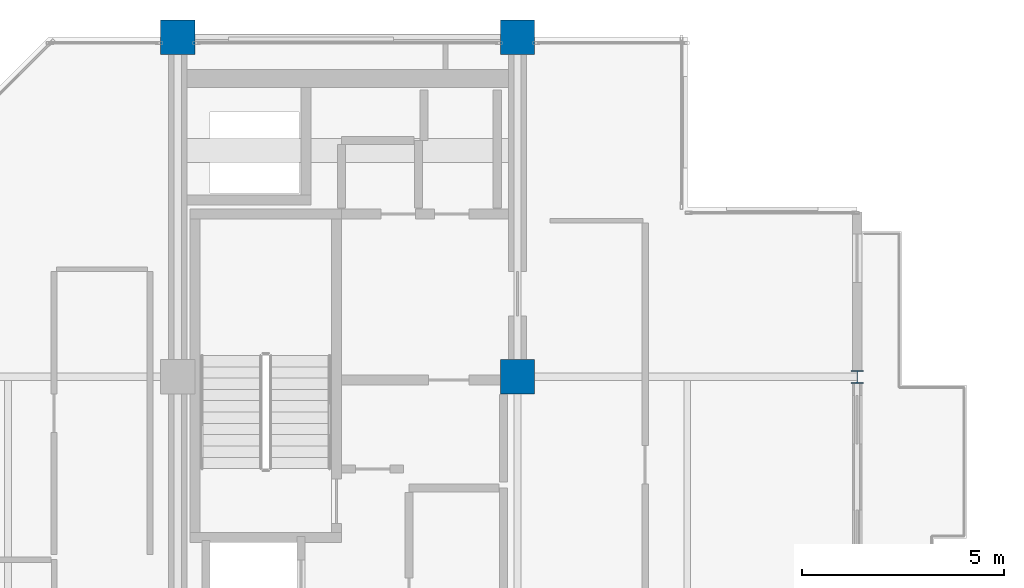
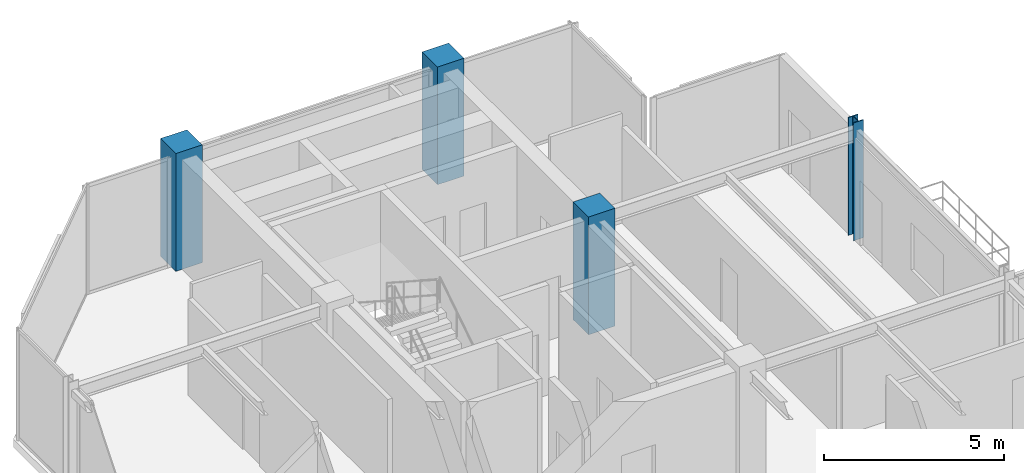
# One storey, part 2 of 24: 4 columns.
"""IFC4 building model written with IfcOpenShell, lengths in metres."""

from ifc_helpers import new_model, si_unit, direction, frame, origin, origin_2d, place, context, subcontext, project, spatial, rectangle, i_section, extrude, material, material_profile, profile_set, type_object, element, save


model = new_model("IFC4")

# Units and contexts
model_context = context("Model", 3, precision=1e-05, world=origin(), true_north=direction((0.0, 1.0)))
body_context = subcontext(model_context, "Body", "Model", "MODEL_VIEW")
ifc_project = project(units=[si_unit("LENGTHUNIT", "METRE"), si_unit("AREAUNIT", "SQUARE_METRE"), si_unit("VOLUMEUNIT", "CUBIC_METRE"), si_unit("PLANEANGLEUNIT", "RADIAN"), si_unit("MASSUNIT", "GRAM", prefix="KILO")], contexts=[model_context])

# Site, building, storey
site_placement = place(None, origin())
site = spatial("IfcSite", under=ifc_project, at=site_placement, CompositionType="ELEMENT")
building_placement = place(site_placement, origin())
building = spatial("IfcBuilding", under=site, at=building_placement, Name="Nerrivon Quay Data Exchange", CompositionType="ELEMENT")
storey_placement = place(building_placement, frame((0.0, 0.0, 310.199951171875)))
storey = spatial("IfcBuildingStorey", under=building, at=storey_placement, Name="L74", CompositionType="ELEMENT", Elevation=310.199951171875)

# Columns
ifc_material_1 = material(Name="Concrete N50 (50 MPa)", Category="concrete")
ifc_material_profile_1 = material_profile(ifc_material_1, rectangle(XDim=0.85009765625, YDim=0.85009765625, at=origin_2d()), Name="RC-COL-850x850")
ifc_profile_set_1 = profile_set([ifc_material_profile_1], Name="Concrete N50 (50 MPa)")
column_type_1 = type_object("IfcColumnType", Name="COL-C5-850", PredefinedType="COLUMN", material=ifc_profile_set_1)
for number, where, z_axis, x_axis, name in (
    (1, (8.39990234375, 42.0, 0.0), (0.0, 0.0, 1.0), (1.0, 0.0, 0.0), "L74 Column (8.4,42.0)"),
    (2, (16.800048828125, 33.60009765625, 0.0), (0.0, 0.0, 1.0), (1.0, 0.0, 0.0), "L74 Column (16.8,33.6)"),
    (3, (16.800048828125, 42.0, 0.0), (0.0, 0.0, 1.0), (1.0, 0.0, 0.0), "L74 Column (16.8,42.0)"),
):
    element("IfcColumn", number, at=place(storey_placement, frame(where, z_axis=z_axis, x_axis=x_axis)), inside=storey, type_object=column_type_1, Name=name, PredefinedType="COLUMN", context=body_context, shape_type="SweptSolid", body=[
        extrude(rectangle(XDim=0.85009765625, YDim=0.85009765625, at=origin_2d()), origin(), (0.0, 0.0, 1.0), 4.0),
    ])
ifc_material_2 = material(Name="Steel Grade 350", Category="steel")
ifc_material_profile_2 = material_profile(ifc_material_2, i_section(OverallWidth=0.31103515625, OverallDepth=0.326904296875, WebThickness=0.015625, FlangeThickness=0.02490234375, FilletRadius=0.0166015625, at=origin_2d()), Name="310UC158")
ifc_profile_set_2 = profile_set([ifc_material_profile_2], Name="Steel Grade 350")
column_type_2 = type_object("IfcColumnType", Name="COL-SC4-310UC158", PredefinedType="COLUMN", material=ifc_profile_set_2)
column_placement = place(storey_placement, frame((25.199951171875, 33.60009765625, 0.0), z_axis=(0.0, 0.0, 1.0), x_axis=(1.0, 0.0, 0.0)))
element("IfcColumn", 4, at=column_placement, inside=storey, type_object=column_type_2, Name="L74 Column (25.2,33.6)", PredefinedType="COLUMN", context=body_context, shape_type="SweptSolid", body=[
    extrude(i_section(OverallWidth=0.31103515625, OverallDepth=0.326904296875, WebThickness=0.015625, FlangeThickness=0.02490234375, FilletRadius=0.0166015625, at=origin_2d()), origin(), (0.0, 0.0, 1.0), 4.0),
])

save(model, "model.ifc")
